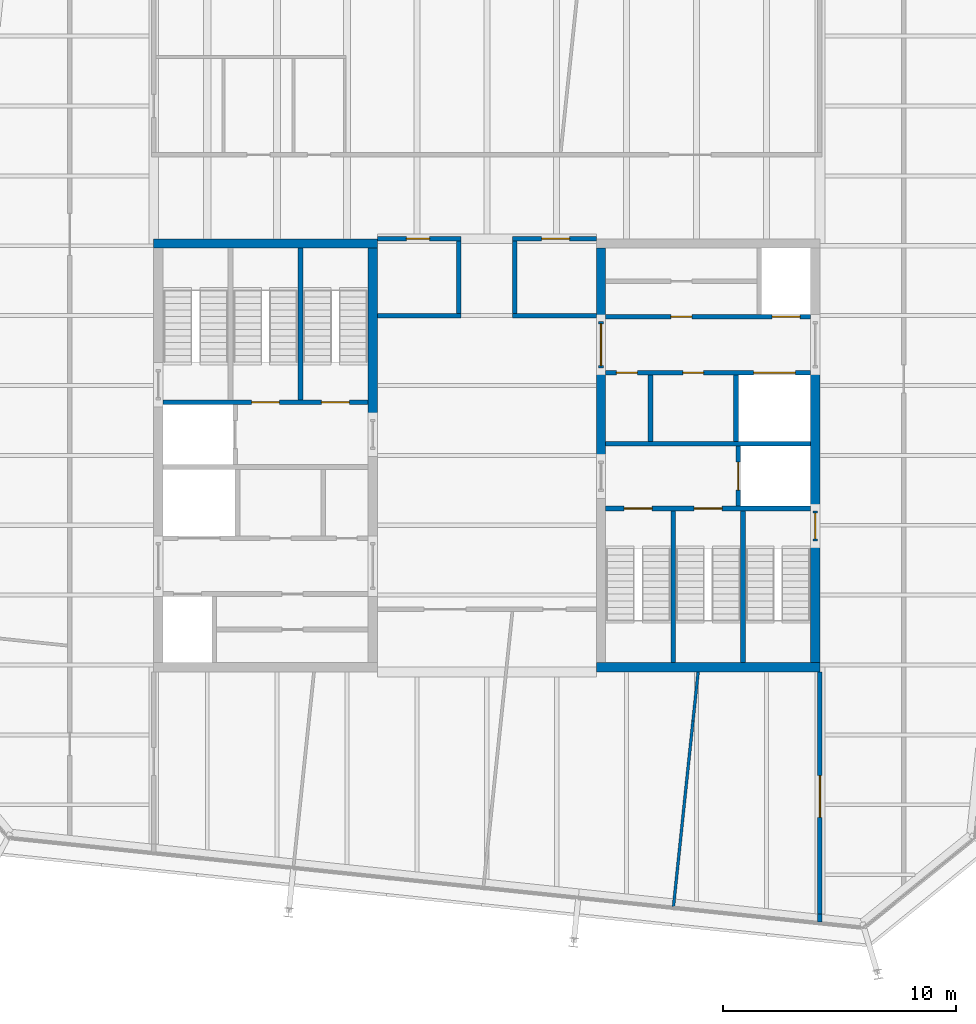
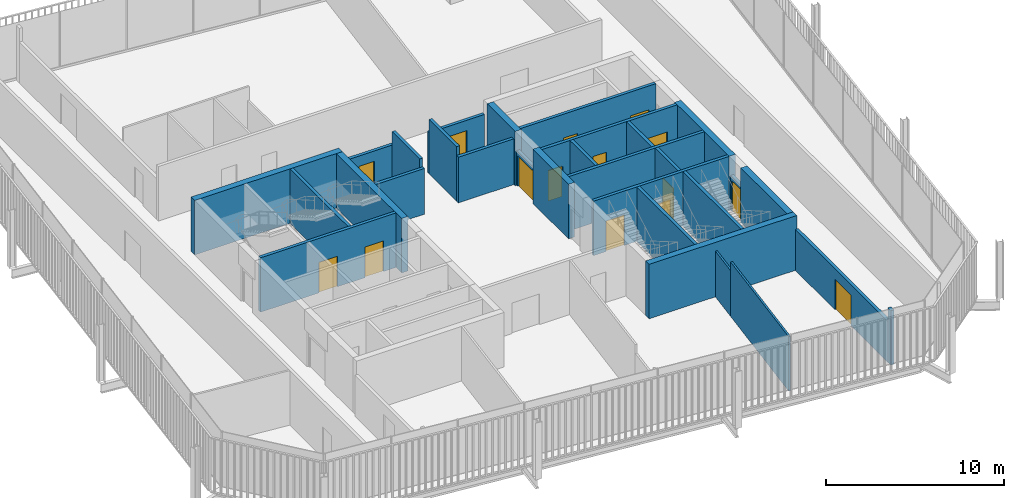
# One storey, part 17 of 20: 30 walls, 15 doors, 15 openings.
"""IFC4 building model written with IfcOpenShell, lengths in metres."""

from ifc_helpers import new_model, si_unit, direction, frame, frame_2d, origin, place, context, subcontext, project, spatial, rectangle, extrude, material, layer, layer_set, type_object, element, fill, save


model = new_model("IFC4")

# Units and contexts
model_context = context("Model", 3, precision=1e-05, world=origin(), true_north=direction((0.0, 1.0)))
body_context = subcontext(model_context, "Body", "Model", "MODEL_VIEW")
ifc_project = project(units=[si_unit("LENGTHUNIT", "METRE"), si_unit("AREAUNIT", "SQUARE_METRE"), si_unit("VOLUMEUNIT", "CUBIC_METRE"), si_unit("PLANEANGLEUNIT", "RADIAN"), si_unit("MASSUNIT", "GRAM", prefix="KILO")], contexts=[model_context])

# Site, building, storey
site_placement = place(None, origin())
site = spatial("IfcSite", under=ifc_project, at=site_placement, CompositionType="ELEMENT")
building_placement = place(site_placement, origin())
building = spatial("IfcBuilding", under=site, at=building_placement, Name="Millrace Tower", CompositionType="ELEMENT")
storey_placement = place(building_placement, frame((0.0, 0.0, 295.5)))
storey = spatial("IfcBuildingStorey", under=building, at=storey_placement, Name="L68", CompositionType="ELEMENT", Elevation=295.5)

# Walls
ifc_material_1 = material(Name="Concrete C60", Category="concrete")
ifc_layer_1 = layer(ifc_material_1, 0.39990234375)
ifc_layer_set_1 = layer_set([ifc_layer_1], Name="Concrete C60")
wall_type_1 = type_object("IfcWallType", Name="Core wall 400 Concrete C60", PredefinedType="SHEAR", material=ifc_layer_set_1)
wall_1_placement = place(storey_placement, frame((-14.300048828125, 9.10009765625, 0.0), z_axis=(0.0, 0.0, 1.0), x_axis=(1.0, 0.0, 0.0)))
element("IfcWall", 1, at=wall_1_placement, inside=storey, type_object=wall_type_1, Name="Core wall W L68", PredefinedType="SHEAR", context=body_context, shape_type="SweptSolid", body=[
    extrude(rectangle(XDim=9.60009765625, YDim=0.39990234375, at=frame_2d((4.800048828125, 0.0))), origin(), (0.0, 0.0, 1.0), 3.739990234375),
])
wall_2_placement = place(storey_placement, frame((-4.89990234375, 1.550048828125, 0.0), z_axis=(0.0, 0.0, 1.0), x_axis=(0.0, 1.0, 0.0)))
element("IfcWall", 2, at=wall_2_placement, inside=storey, type_object=wall_type_1, Name="Core wall W L68", PredefinedType="SHEAR", context=body_context, shape_type="SweptSolid", body=[
    extrude(rectangle(XDim=7.349853515625, YDim=0.39990234375, at=frame_2d((3.6748046875, 0.0))), origin(), (0.0, 0.0, 1.0), 3.739990234375),
])
wall_3_placement = place(storey_placement, frame((14.300048828125, -9.10009765625, 0.0), z_axis=(0.0, 0.0, 1.0), x_axis=(-1.0, 0.0, 0.0)))
element("IfcWall", 3, at=wall_3_placement, inside=storey, type_object=wall_type_1, Name="Core wall E L68", PredefinedType="SHEAR", context=body_context, shape_type="SweptSolid", body=[
    extrude(rectangle(XDim=9.60009765625, YDim=0.39990234375, at=frame_2d((4.800048828125, 0.0))), origin(), (0.0, 0.0, 1.0), 3.739990234375),
])
wall_4_placement = place(storey_placement, frame((14.10009765625, 3.75, 0.0), z_axis=(0.0, 0.0, 1.0), x_axis=(0.0, -1.0, 0.0)))
element("IfcWall", 4, at=wall_4_placement, inside=storey, type_object=wall_type_1, Name="Core wall E L68", PredefinedType="SHEAR", context=body_context, shape_type="SweptSolid", body=[
    extrude(rectangle(XDim=6.1298828125, YDim=0.39990234375, at=frame_2d((3.06494140625, 0.0))), origin(), (0.0, 0.0, 1.0), 3.739990234375),
])
wall_5_placement = place(storey_placement, frame((14.10009765625, -3.679931640625, 0.0), z_axis=(0.0, 0.0, 1.0), x_axis=(0.0, -1.0, 0.0)))
element("IfcWall", 5, at=wall_5_placement, inside=storey, type_object=wall_type_1, Name="Core wall E L68", PredefinedType="SHEAR", context=body_context, shape_type="SweptSolid", body=[
    extrude(rectangle(XDim=5.219970703125, YDim=0.39990234375, at=frame_2d((2.60986328125, 0.0))), origin(), (0.0, 0.0, 1.0), 3.739990234375),
])
wall_6_placement = place(storey_placement, frame((4.89990234375, 8.89990234375, 0.0), z_axis=(0.0, 0.0, 1.0), x_axis=(0.0, -1.0, 0.0)))
element("IfcWall", 6, at=wall_6_placement, inside=storey, type_object=wall_type_1, Name="Core wall E L68", PredefinedType="SHEAR", context=body_context, shape_type="SweptSolid", body=[
    extrude(rectangle(XDim=3.14990234375, YDim=0.39990234375, at=frame_2d((1.574951171875, 0.0))), origin(), (0.0, 0.0, 1.0), 3.739990234375),
])
wall_7_placement = place(storey_placement, frame((4.89990234375, 3.75, 0.0), z_axis=(0.0, 0.0, 1.0), x_axis=(0.0, -1.0, 0.0)))
element("IfcWall", 7, at=wall_7_placement, inside=storey, type_object=wall_type_1, Name="Core wall E L68", PredefinedType="SHEAR", context=body_context, shape_type="SweptSolid", body=[
    extrude(rectangle(XDim=4.0, YDim=0.39990234375, at=frame_2d((2.0, 0.0))), origin(), (0.0, 0.0, 1.0), 3.739990234375),
])
ifc_material_2 = material(Name="Masonry partition, fire-rated", Category="masonry")
ifc_layer_2 = layer(ifc_material_2, 0.199951171875)
ifc_layer_set_2 = layer_set([ifc_layer_2], Name="Masonry partition, fire-rated")
wall_type_2 = type_object("IfcWallType", Name="Corridor wall 200", PredefinedType="PARTITIONING", material=ifc_layer_set_2)
for number, where, z_axis, x_axis, name in (
    (8, (-4.699951171875, 6.0, 0.0), (0.0, 0.0, 1.0), (1.0, 0.0, 0.0), "Corridor wall L68"),
    (9, (1.10009765625, 6.0, 0.0), (0.0, 0.0, 1.0), (1.0, 0.0, 0.0), "Corridor wall L68"),
):
    element("IfcWall", number, at=place(storey_placement, frame(where, z_axis=z_axis, x_axis=x_axis)), inside=storey, type_object=wall_type_2, Name=name, PredefinedType="PARTITIONING", context=body_context, shape_type="SweptSolid", body=[
        extrude(rectangle(XDim=3.599853515625, YDim=0.199951171875, at=frame_2d((1.7998046875, 0.0))), origin(), (0.0, 0.0, 1.0), 3.140625),
    ])

# Wall, opening, door
wall_8_placement = place(storey_placement, frame((-4.699951171875, 9.300048828125, 0.0), z_axis=(0.0, 0.0, 1.0), x_axis=(1.0, 0.0, 0.0)))
wall_8 = element("IfcWall", 10, at=wall_8_placement, inside=storey, type_object=wall_type_2, Name="Corridor wall L68", PredefinedType="PARTITIONING", context=body_context, shape_type="SweptSolid", body=[
    extrude(rectangle(XDim=3.599853515625, YDim=0.199951171875, at=frame_2d((1.7998046875, 0.0))), origin(), (0.0, 0.0, 1.0), 2.81298828125),
])
opening_1_placement = place(wall_8_placement, frame((1.25, 0.0, 0.0)))
opening_1 = element("IfcOpeningElement", 11, at=opening_1_placement, cuts=wall_8, Name="Opening 68-P001", PredefinedType="OPENING", context=body_context, shape_type="SweptSolid", body=[
    extrude(rectangle(XDim=1.0, YDim=2.10009765625, at=frame_2d((0.5, 1.050048828125))), frame((0.0, 0.10986328125, 0.0), z_axis=(0.0, -1.0, 0.0), x_axis=(1.0, 0.0, 0.0)), (0.0, 0.0, 1.0), 0.219970703125),
])
ifc_material_3 = material(Name="Steel door set, fire-rated", Category="steel")
door_type_1 = type_object("IfcDoorType", Name="Corridor door 1000 x 2100", OperationType="SINGLE_SWING_LEFT", PredefinedType="DOOR", material=ifc_material_3)
door_1_placement = place(opening_1_placement, frame((1.0, 0.0, 0.0), z_axis=(0.0, 0.0, 1.0), x_axis=(-1.0, 0.0, 0.0)))
door_1 = element("IfcDoor", 12, at=door_1_placement, inside=storey, type_object=door_type_1, Name="Door 68-P001", OperationType="SINGLE_SWING_RIGHT", OverallHeight=2.10009765625, OverallWidth=1.0, PredefinedType="DOOR", context=body_context, shape_type="SweptSolid", body=[
    extrude(rectangle(XDim=1.0, YDim=2.10009765625, at=frame_2d((0.5, 1.050048828125))), frame((0.0, 0.02490234375, 0.0), z_axis=(0.0, -1.0, 0.0), x_axis=(1.0, 0.0, 0.0)), (0.0, 0.0, 1.0), 0.050048828125),
])
fill(opening_1, door_1)

wall_9_placement = place(storey_placement, frame((1.10009765625, 9.300048828125, 0.0), z_axis=(0.0, 0.0, 1.0), x_axis=(1.0, 0.0, 0.0)))
wall_9 = element("IfcWall", 13, at=wall_9_placement, inside=storey, type_object=wall_type_2, Name="Corridor wall L68", PredefinedType="PARTITIONING", context=body_context, shape_type="SweptSolid", body=[
    extrude(rectangle(XDim=3.599853515625, YDim=0.199951171875, at=frame_2d((1.7998046875, 0.0))), origin(), (0.0, 0.0, 1.0), 2.81298828125),
])
opening_2_placement = place(wall_9_placement, frame((1.25, 0.0, 0.0)))
opening_2 = element("IfcOpeningElement", 14, at=opening_2_placement, cuts=wall_9, Name="Opening 68-P002", PredefinedType="OPENING", context=body_context, shape_type="SweptSolid", body=[
    extrude(rectangle(XDim=1.199951171875, YDim=2.10009765625, at=frame_2d((0.60009765625, 1.050048828125))), frame((0.0, 0.10986328125, 0.0), z_axis=(0.0, -1.0, 0.0), x_axis=(1.0, 0.0, 0.0)), (0.0, 0.0, 1.0), 0.219970703125),
])
ifc_material_4 = material(Name="Steel door set, fire-rated", Category="steel")
door_type_2 = type_object("IfcDoorType", Name="Corridor door 1200 x 2100", OperationType="SINGLE_SWING_LEFT", PredefinedType="DOOR", material=ifc_material_4)
door_2_placement = place(opening_2_placement, frame((1.199951171875, 0.0, 0.0), z_axis=(0.0, 0.0, 1.0), x_axis=(-1.0, 0.0, 0.0)))
door_2 = element("IfcDoor", 15, at=door_2_placement, inside=storey, type_object=door_type_2, Name="Door 68-P002", OperationType="SINGLE_SWING_RIGHT", OverallHeight=2.10009765625, OverallWidth=1.199951171875, PredefinedType="DOOR", context=body_context, shape_type="SweptSolid", body=[
    extrude(rectangle(XDim=1.199951171875, YDim=2.10009765625, at=frame_2d((0.60009765625, 1.050048828125))), frame((0.0, 0.02490234375, 0.0), z_axis=(0.0, -1.0, 0.0), x_axis=(1.0, 0.0, 0.0)), (0.0, 0.0, 1.0), 0.050048828125),
])
fill(opening_2, door_2)

# Wall
wall_10_placement = place(storey_placement, frame((14.300048828125, -20.037353515625, 0.0), z_axis=(0.0, 0.0, 1.0), x_axis=(0.0, 1.0, 0.0)))
element("IfcWall", 16, at=wall_10_placement, inside=storey, type_object=wall_type_2, Name="Corridor wall L68", PredefinedType="PARTITIONING", context=body_context, shape_type="SweptSolid", body=[
    extrude(rectangle(XDim=0.339111328125, YDim=0.199951171875, at=frame_2d((0.16943359375, 0.0))), origin(), (0.0, 0.0, 1.0), 3.739990234375),
])

# Wall, opening, door
wall_11_placement = place(storey_placement, frame((14.300048828125, -19.6982421875, 0.0), z_axis=(0.0, 0.0, 1.0), x_axis=(0.0, 1.0, 0.0)))
wall_11 = element("IfcWall", 17, at=wall_11_placement, inside=storey, type_object=wall_type_2, Name="Corridor wall L68", PredefinedType="PARTITIONING", context=body_context, shape_type="SweptSolid", body=[
    extrude(rectangle(XDim=10.398193359375, YDim=0.199951171875, at=frame_2d((5.19921875, 0.0))), origin(), (0.0, 0.0, 1.0), 2.81298828125),
])
opening_3_placement = place(wall_11_placement, frame((4.15478515625, 0.0, 0.0)))
opening_3 = element("IfcOpeningElement", 18, at=opening_3_placement, cuts=wall_11, Name="Opening 68-P012", PredefinedType="OPENING", context=body_context, shape_type="SweptSolid", body=[
    extrude(rectangle(XDim=1.800048828125, YDim=2.10009765625, at=frame_2d((0.89990234375, 1.050048828125))), frame((0.0, 0.10986328125, 0.0), z_axis=(0.0, -1.0, 0.0), x_axis=(1.0, 0.0, 0.0)), (0.0, 0.0, 1.0), 0.219970703125),
])
ifc_material_5 = material(Name="Steel door set, fire-rated", Category="steel")
door_type_3 = type_object("IfcDoorType", Name="Corridor door 1800 x 2100", OperationType="DOUBLE_DOOR_SINGLE_SWING", PredefinedType="DOOR", material=ifc_material_5)
door_3_placement = place(opening_3_placement, origin())
door_3 = element("IfcDoor", 19, at=door_3_placement, inside=storey, type_object=door_type_3, Name="Door 68-P012", OperationType="DOUBLE_DOOR_SINGLE_SWING", OverallHeight=2.10009765625, OverallWidth=1.800048828125, PredefinedType="DOOR", context=body_context, shape_type="SweptSolid", body=[
    extrude(rectangle(XDim=1.800048828125, YDim=2.10009765625, at=frame_2d((0.89990234375, 1.050048828125))), frame((0.0, 0.02490234375, 0.0), z_axis=(0.0, -1.0, 0.0), x_axis=(1.0, 0.0, 0.0)), (0.0, 0.0, 1.0), 0.050048828125),
])
fill(opening_3, door_3)

# Walls
for number, where, z_axis, x_axis, name in (
    (20, (1.199951171875, 6.10009765625, 0.0), (0.0, 0.0, 1.0), (0.0, 1.0, 0.0), "Corridor wall L68"),
    (21, (-1.199951171875, 6.10009765625, 0.0), (0.0, 0.0, 1.0), (0.0, 1.0, 0.0), "Corridor wall L68"),
):
    element("IfcWall", number, at=place(storey_placement, frame(where, z_axis=z_axis, x_axis=x_axis)), inside=storey, type_object=wall_type_2, Name=name, PredefinedType="PARTITIONING", context=body_context, shape_type="SweptSolid", body=[
        extrude(rectangle(XDim=3.099853515625, YDim=0.199951171875, at=frame_2d((1.5498046875, 0.0))), origin(), (0.0, 0.0, 1.0), 3.739990234375),
    ])

# Wall, openings, doors
ifc_material_6 = material(Name="Masonry partition, fire-rated", Category="masonry")
ifc_layer_3 = layer(ifc_material_6, 0.199951171875)
ifc_layer_set_3 = layer_set([ifc_layer_3], Name="Masonry partition, fire-rated")
wall_type_3 = type_object("IfcWallType", Name="Lift shaft wall 200", PredefinedType="PARTITIONING", material=ifc_layer_set_3)
wall_12_placement = place(storey_placement, frame((13.89990234375, 5.949951171875, 0.0), z_axis=(0.0, 0.0, 1.0), x_axis=(-1.0, 0.0, 0.0)))
wall_12 = element("IfcWall", 22, at=wall_12_placement, inside=storey, type_object=wall_type_3, Name="Lift shaft wall E L68", PredefinedType="PARTITIONING", context=body_context, shape_type="SweptSolid", body=[
    extrude(rectangle(XDim=8.7998046875, YDim=0.199951171875, at=frame_2d((4.39990234375, 0.0))), origin(), (0.0, 0.0, 1.0), 3.739990234375),
])
opening_4_placement = place(wall_12_placement, frame((0.449951171875, 0.0, 0.0)))
opening_4 = element("IfcOpeningElement", 23, at=opening_4_placement, cuts=wall_12, Name="Opening 68-LD09", PredefinedType="OPENING", context=body_context, shape_type="SweptSolid", body=[
    extrude(rectangle(XDim=1.199951171875, YDim=2.10009765625, at=frame_2d((0.60009765625, 1.050048828125))), frame((0.0, 0.10986328125, 0.0), z_axis=(0.0, -1.0, 0.0), x_axis=(1.0, 0.0, 0.0)), (0.0, 0.0, 1.0), 0.219970703125),
])
opening_5_placement = place(wall_12_placement, frame((5.10009765625, 0.0, 0.0)))
opening_5 = element("IfcOpeningElement", 24, at=opening_5_placement, cuts=wall_12, Name="Opening 68-C015", PredefinedType="OPENING", context=body_context, shape_type="SweptSolid", body=[
    extrude(rectangle(XDim=0.89990234375, YDim=2.10009765625, at=frame_2d((0.449951171875, 1.050048828125))), frame((0.0, 0.10986328125, 0.0), z_axis=(0.0, -1.0, 0.0), x_axis=(1.0, 0.0, 0.0)), (0.0, 0.0, 1.0), 0.219970703125),
])
ifc_material_7 = material(Name="Stainless steel, fire-rated", Category="steel")
door_type_4 = type_object("IfcDoorType", Name="Lift landing door 1200 x 2100", OperationType="DOUBLE_DOOR_SLIDING", PredefinedType="DOOR", material=ifc_material_7)
door_4_placement = place(opening_4_placement, origin())
door_4 = element("IfcDoor", 25, at=door_4_placement, inside=storey, type_object=door_type_4, Name="Lift landing door LF9 L68", OperationType="DOUBLE_DOOR_SLIDING", OverallHeight=2.10009765625, OverallWidth=1.199951171875, PredefinedType="DOOR", context=body_context, shape_type="SweptSolid", body=[
    extrude(rectangle(XDim=1.199951171875, YDim=2.10009765625, at=frame_2d((0.60009765625, 1.050048828125))), frame((0.0, 0.02490234375, 0.0), z_axis=(0.0, -1.0, 0.0), x_axis=(1.0, 0.0, 0.0)), (0.0, 0.0, 1.0), 0.050048828125),
])
fill(opening_4, door_4)
ifc_material_8 = material(Name="Steel door, fire-rated", Category="steel")
door_type_5 = type_object("IfcDoorType", Name="Service room door 900 x 2100", OperationType="SINGLE_SWING_LEFT", PredefinedType="DOOR", material=ifc_material_8)
door_5_placement = place(opening_5_placement, origin())
door_5 = element("IfcDoor", 26, at=door_5_placement, inside=storey, type_object=door_type_5, Name="Service room door 68-C015", OperationType="SINGLE_SWING_RIGHT", OverallHeight=2.10009765625, OverallWidth=0.89990234375, PredefinedType="DOOR", context=body_context, shape_type="SweptSolid", body=[
    extrude(rectangle(XDim=0.89990234375, YDim=2.10009765625, at=frame_2d((0.449951171875, 1.050048828125))), frame((0.0, 0.02490234375, 0.0), z_axis=(0.0, -1.0, 0.0), x_axis=(1.0, 0.0, 0.0)), (0.0, 0.0, 1.0), 0.050048828125),
])
fill(opening_5, door_5)

wall_13_placement = place(storey_placement, frame((13.89990234375, 3.550048828125, 0.0), z_axis=(0.0, 0.0, 1.0), x_axis=(-1.0, 0.0, 0.0)))
wall_13 = element("IfcWall", 27, at=wall_13_placement, inside=storey, type_object=wall_type_3, Name="Lift shaft wall E L68", PredefinedType="PARTITIONING", context=body_context, shape_type="SweptSolid", body=[
    extrude(rectangle(XDim=8.7998046875, YDim=0.199951171875, at=frame_2d((4.39990234375, 0.0))), origin(), (0.0, 0.0, 1.0), 3.739990234375),
])
opening_6_placement = place(wall_13_placement, frame((0.64990234375, 0.0, 0.0)))
opening_6 = element("IfcOpeningElement", 28, at=opening_6_placement, cuts=wall_13, Name="Opening 68-LD13", PredefinedType="OPENING", context=body_context, shape_type="SweptSolid", body=[
    extrude(rectangle(XDim=1.800048828125, YDim=2.10009765625, at=frame_2d((0.89990234375, 1.050048828125))), frame((0.0, 0.10986328125, 0.0), z_axis=(0.0, -1.0, 0.0), x_axis=(1.0, 0.0, 0.0)), (0.0, 0.0, 1.0), 0.219970703125),
])
opening_7_placement = place(wall_13_placement, frame((4.58740234375, 0.0, 0.0)))
opening_7 = element("IfcOpeningElement", 29, at=opening_7_placement, cuts=wall_13, Name="Opening 68-C017", PredefinedType="OPENING", context=body_context, shape_type="SweptSolid", body=[
    extrude(rectangle(XDim=0.89990234375, YDim=2.10009765625, at=frame_2d((0.449951171875, 1.050048828125))), frame((0.0, 0.10986328125, 0.0), z_axis=(0.0, -1.0, 0.0), x_axis=(1.0, 0.0, 0.0)), (0.0, 0.0, 1.0), 0.219970703125),
])
opening_8_placement = place(wall_13_placement, frame((7.4375, 0.0, 0.0)))
opening_8 = element("IfcOpeningElement", 30, at=opening_8_placement, cuts=wall_13, Name="Opening 68-C018", PredefinedType="OPENING", context=body_context, shape_type="SweptSolid", body=[
    extrude(rectangle(XDim=0.89990234375, YDim=2.10009765625, at=frame_2d((0.449951171875, 1.050048828125))), frame((0.0, 0.10986328125, 0.0), z_axis=(0.0, -1.0, 0.0), x_axis=(1.0, 0.0, 0.0)), (0.0, 0.0, 1.0), 0.219970703125),
])
ifc_material_9 = material(Name="Stainless steel, fire-rated", Category="steel")
door_type_6 = type_object("IfcDoorType", Name="Lift landing door 1800 x 2100", OperationType="DOUBLE_DOOR_SLIDING", PredefinedType="DOOR", material=ifc_material_9)
door_6_placement = place(opening_6_placement, origin())
door_6 = element("IfcDoor", 31, at=door_6_placement, inside=storey, type_object=door_type_6, Name="Lift landing door LF13 L68", OperationType="DOUBLE_DOOR_SLIDING", OverallHeight=2.10009765625, OverallWidth=1.800048828125, PredefinedType="DOOR", context=body_context, shape_type="SweptSolid", body=[
    extrude(rectangle(XDim=1.800048828125, YDim=2.10009765625, at=frame_2d((0.89990234375, 1.050048828125))), frame((0.0, 0.02490234375, 0.0), z_axis=(0.0, -1.0, 0.0), x_axis=(1.0, 0.0, 0.0)), (0.0, 0.0, 1.0), 0.050048828125),
])
fill(opening_6, door_6)
door_7_placement = place(opening_7_placement, origin())
door_7 = element("IfcDoor", 32, at=door_7_placement, inside=storey, type_object=door_type_5, Name="Service room door 68-C017", OperationType="SINGLE_SWING_RIGHT", OverallHeight=2.10009765625, OverallWidth=0.89990234375, PredefinedType="DOOR", context=body_context, shape_type="SweptSolid", body=[
    extrude(rectangle(XDim=0.89990234375, YDim=2.10009765625, at=frame_2d((0.449951171875, 1.050048828125))), frame((0.0, 0.02490234375, 0.0), z_axis=(0.0, -1.0, 0.0), x_axis=(1.0, 0.0, 0.0)), (0.0, 0.0, 1.0), 0.050048828125),
])
fill(opening_7, door_7)
door_8_placement = place(opening_8_placement, origin())
door_8 = element("IfcDoor", 33, at=door_8_placement, inside=storey, type_object=door_type_5, Name="Service room door 68-C018", OperationType="SINGLE_SWING_RIGHT", OverallHeight=2.10009765625, OverallWidth=0.89990234375, PredefinedType="DOOR", context=body_context, shape_type="SweptSolid", body=[
    extrude(rectangle(XDim=0.89990234375, YDim=2.10009765625, at=frame_2d((0.449951171875, 1.050048828125))), frame((0.0, 0.02490234375, 0.0), z_axis=(0.0, -1.0, 0.0), x_axis=(1.0, 0.0, 0.0)), (0.0, 0.0, 1.0), 0.050048828125),
])
fill(opening_8, door_8)

# Wall
wall_14_placement = place(storey_placement, frame((13.89990234375, 0.5, 0.0), z_axis=(0.0, 0.0, 1.0), x_axis=(-1.0, 0.0, 0.0)))
element("IfcWall", 34, at=wall_14_placement, inside=storey, type_object=wall_type_3, Name="Lift shaft wall E L68", PredefinedType="PARTITIONING", context=body_context, shape_type="SweptSolid", body=[
    extrude(rectangle(XDim=8.7998046875, YDim=0.199951171875, at=frame_2d((4.39990234375, 0.0))), origin(), (0.0, 0.0, 1.0), 3.739990234375),
])

# Wall, opening, door
wall_15_placement = place(storey_placement, frame((10.800048828125, 0.39990234375, 0.0), z_axis=(0.0, 0.0, 1.0), x_axis=(0.0, -1.0, 0.0)))
wall_15 = element("IfcWall", 35, at=wall_15_placement, inside=storey, type_object=wall_type_3, Name="Lift shaft wall E L68", PredefinedType="PARTITIONING", context=body_context, shape_type="SweptSolid", body=[
    extrude(rectangle(XDim=2.579833984375, YDim=0.199951171875, at=frame_2d((1.2900390625, 0.0))), origin(), (0.0, 0.0, 1.0), 3.739990234375),
])
opening_9_placement = place(wall_15_placement, frame((0.68994140625, 0.0, 0.0)))
opening_9 = element("IfcOpeningElement", 36, at=opening_9_placement, cuts=wall_15, Name="Opening 68-LD16", PredefinedType="OPENING", context=body_context, shape_type="SweptSolid", body=[
    extrude(rectangle(XDim=1.199951171875, YDim=2.10009765625, at=frame_2d((0.60009765625, 1.050048828125))), frame((0.0, 0.10986328125, 0.0), z_axis=(0.0, -1.0, 0.0), x_axis=(1.0, 0.0, 0.0)), (0.0, 0.0, 1.0), 0.219970703125),
])
door_9_placement = place(opening_9_placement, origin())
door_9 = element("IfcDoor", 37, at=door_9_placement, inside=storey, type_object=door_type_4, Name="Lift landing door LF16 L68", OperationType="DOUBLE_DOOR_SLIDING", OverallHeight=2.10009765625, OverallWidth=1.199951171875, PredefinedType="DOOR", context=body_context, shape_type="SweptSolid", body=[
    extrude(rectangle(XDim=1.199951171875, YDim=2.10009765625, at=frame_2d((0.60009765625, 1.050048828125))), frame((0.0, 0.02490234375, 0.0), z_axis=(0.0, -1.0, 0.0), x_axis=(1.0, 0.0, 0.0)), (0.0, 0.0, 1.0), 0.050048828125),
])
fill(opening_9, door_9)

# Wall
wall_16_placement = place(storey_placement, frame((10.699951171875, 3.449951171875, 0.0), z_axis=(0.0, 0.0, 1.0), x_axis=(0.0, -1.0, 0.0)))
element("IfcWall", 38, at=wall_16_placement, inside=storey, type_object=wall_type_3, Name="Lift shaft wall E L68", PredefinedType="PARTITIONING", context=body_context, shape_type="SweptSolid", body=[
    extrude(rectangle(XDim=2.849853515625, YDim=0.199951171875, at=frame_2d((1.4248046875, 0.0))), origin(), (0.0, 0.0, 1.0), 3.739990234375),
])

# Wall, opening, door
ifc_material_10 = material(Name="Masonry partition, fire-rated", Category="masonry")
ifc_layer_4 = layer(ifc_material_10, 0.199951171875)
ifc_layer_set_4 = layer_set([ifc_layer_4], Name="Masonry partition, fire-rated")
wall_type_4 = type_object("IfcWallType", Name="Lobby wall 200", PredefinedType="PARTITIONING", material=ifc_layer_set_4)
wall_17_placement = place(storey_placement, frame((4.89990234375, 5.75, 0.0), z_axis=(0.0, 0.0, 1.0), x_axis=(0.0, -1.0, 0.0)))
wall_17 = element("IfcWall", 39, at=wall_17_placement, inside=storey, type_object=wall_type_4, Name="Lobby wall E L68", PredefinedType="PARTITIONING", context=body_context, shape_type="SweptSolid", body=[
    extrude(rectangle(XDim=2.0, YDim=0.199951171875, at=frame_2d((1.0, 0.0))), origin(), (0.0, 0.0, 1.0), 2.39990234375),
])
opening_10_placement = place(wall_17_placement, frame((0.10009765625, 0.0, 0.0)))
opening_10 = element("IfcOpeningElement", 40, at=opening_10_placement, cuts=wall_17, Name="Opening 68-C013", PredefinedType="OPENING", context=body_context, shape_type="SweptSolid", body=[
    extrude(rectangle(XDim=1.800048828125, YDim=2.10009765625, at=frame_2d((0.89990234375, 1.050048828125))), frame((0.0, 0.10986328125, 0.0), z_axis=(0.0, -1.0, 0.0), x_axis=(1.0, 0.0, 0.0)), (0.0, 0.0, 1.0), 0.219970703125),
])
ifc_material_11 = material(Name="Steel door, fire-rated", Category="steel")
door_type_7 = type_object("IfcDoorType", Name="Lobby door 1800 x 2100", OperationType="DOUBLE_DOOR_SINGLE_SWING", PredefinedType="DOOR", material=ifc_material_11)
door_10_placement = place(opening_10_placement, frame((1.800048828125, 0.0, 0.0), z_axis=(0.0, 0.0, 1.0), x_axis=(-1.0, 0.0, 0.0)))
door_10 = element("IfcDoor", 41, at=door_10_placement, inside=storey, type_object=door_type_7, Name="Lobby door 68-C013", OperationType="DOUBLE_DOOR_SINGLE_SWING", OverallHeight=2.10009765625, OverallWidth=1.800048828125, PredefinedType="DOOR", context=body_context, shape_type="SweptSolid", body=[
    extrude(rectangle(XDim=1.800048828125, YDim=2.10009765625, at=frame_2d((0.89990234375, 1.050048828125))), frame((0.0, 0.02490234375, 0.0), z_axis=(0.0, -1.0, 0.0), x_axis=(1.0, 0.0, 0.0)), (0.0, 0.0, 1.0), 0.050048828125),
])
fill(opening_10, door_10)

# Walls
ifc_material_12 = material(Name="Gypsum board partition")
ifc_layer_5 = layer(ifc_material_12, 0.1201171875)
ifc_layer_set_5 = layer_set([ifc_layer_5], Name="Gypsum board partition")
wall_type_5 = type_object("IfcWallType", Name="Partition wall 120", PredefinedType="PARTITIONING", material=ifc_layer_set_5)
wall_18_placement = place(storey_placement, frame((8.0126953125, -19.376708984375, 0.0), z_axis=(0.0, 0.0, 1.0), x_axis=(0.104553276341, 0.994519287096, 0.0)))
element("IfcWall", 42, at=wall_18_placement, inside=storey, type_object=wall_type_5, Name="Partition wall L68", PredefinedType="PARTITIONING", context=body_context, shape_type="SweptSolid", body=[
    extrude(rectangle(XDim=8.02099609375, YDim=0.1201171875, at=frame_2d((4.010498046875, 0.0))), origin(), (0.0, 0.0, 1.0), 3.739990234375),
])
wall_19_placement = place(storey_placement, frame((8.851318359375, -11.399658203125, 0.0), z_axis=(0.0, 0.0, 1.0), x_axis=(0.1045403102, 0.994520650134, 0.0)))
element("IfcWall", 43, at=wall_19_placement, inside=storey, type_object=wall_type_5, Name="Partition wall L68", PredefinedType="PARTITIONING", context=body_context, shape_type="SweptSolid", body=[
    extrude(rectangle(XDim=2.111083984375, YDim=0.1201171875, at=frame_2d((1.0556640625, 0.0))), origin(), (0.0, 0.0, 1.0), 3.140625),
])
ifc_material_13 = material(Name="Masonry partition, fire-rated", Category="masonry")
ifc_layer_6 = layer(ifc_material_13, 0.199951171875)
ifc_layer_set_6 = layer_set([ifc_layer_6], Name="Masonry partition, fire-rated")
wall_type_6 = type_object("IfcWallType", Name="Room partition 200", PredefinedType="PARTITIONING", material=ifc_layer_set_6)
wall_20_placement = place(storey_placement, frame((7.02490234375, 3.449951171875, 0.0), z_axis=(0.0, 0.0, 1.0), x_axis=(0.0, -1.0, 0.0)))
element("IfcWall", 44, at=wall_20_placement, inside=storey, type_object=wall_type_6, Name="Room partition E L68", PredefinedType="PARTITIONING", context=body_context, shape_type="SweptSolid", body=[
    extrude(rectangle(XDim=2.849853515625, YDim=0.199951171875, at=frame_2d((1.4248046875, 0.0))), origin(), (0.0, 0.0, 1.0), 3.739990234375),
])

# Wall, openings, doors
ifc_material_14 = material(Name="Concrete C40", Category="concrete")
ifc_layer_7 = layer(ifc_material_14, 0.199951171875)
ifc_layer_set_7 = layer_set([ifc_layer_7], Name="Concrete C40")
wall_type_7 = type_object("IfcWallType", Name="Stair enclosure wall 200 Concrete C40", PredefinedType="SHEAR", material=ifc_layer_set_7)
wall_21_placement = place(storey_placement, frame((-13.89990234375, 2.280029296875, 0.0), z_axis=(0.0, 0.0, 1.0), x_axis=(1.0, 0.0, 0.0)))
wall_21 = element("IfcWall", 45, at=wall_21_placement, inside=storey, type_object=wall_type_7, Name="Stair enclosure wall W L68", PredefinedType="SHEAR", context=body_context, shape_type="SweptSolid", body=[
    extrude(rectangle(XDim=8.7998046875, YDim=0.199951171875, at=frame_2d((4.39990234375, 0.0))), origin(), (0.0, 0.0, 1.0), 3.739990234375),
])
opening_11_placement = place(wall_21_placement, frame((3.800048828125, 0.0, 0.0)))
opening_11 = element("IfcOpeningElement", 46, at=opening_11_placement, cuts=wall_21, Name="Opening 68-C009", PredefinedType="OPENING", context=body_context, shape_type="SweptSolid", body=[
    extrude(rectangle(XDim=1.199951171875, YDim=2.10009765625, at=frame_2d((0.60009765625, 1.050048828125))), frame((0.0, 0.10986328125, 0.0), z_axis=(0.0, -1.0, 0.0), x_axis=(1.0, 0.0, 0.0)), (0.0, 0.0, 1.0), 0.219970703125),
])
opening_12_placement = place(wall_21_placement, frame((6.800048828125, 0.0, 0.0)))
opening_12 = element("IfcOpeningElement", 47, at=opening_12_placement, cuts=wall_21, Name="Opening 68-C010", PredefinedType="OPENING", context=body_context, shape_type="SweptSolid", body=[
    extrude(rectangle(XDim=1.199951171875, YDim=2.10009765625, at=frame_2d((0.60009765625, 1.050048828125))), frame((0.0, 0.10986328125, 0.0), z_axis=(0.0, -1.0, 0.0), x_axis=(1.0, 0.0, 0.0)), (0.0, 0.0, 1.0), 0.219970703125),
])
ifc_material_15 = material(Name="Steel door, fire-rated", Category="steel")
door_type_8 = type_object("IfcDoorType", Name="Stair door 1200 x 2100", OperationType="SINGLE_SWING_LEFT", PredefinedType="DOOR", material=ifc_material_15)
door_11_placement = place(opening_11_placement, frame((1.199951171875, 0.0, 0.0), z_axis=(0.0, 0.0, 1.0), x_axis=(-1.0, 0.0, 0.0)))
door_11 = element("IfcDoor", 48, at=door_11_placement, inside=storey, type_object=door_type_8, Name="Stair door 68-C009", OperationType="SINGLE_SWING_RIGHT", OverallHeight=2.10009765625, OverallWidth=1.199951171875, PredefinedType="DOOR", context=body_context, shape_type="SweptSolid", body=[
    extrude(rectangle(XDim=1.199951171875, YDim=2.10009765625, at=frame_2d((0.60009765625, 1.050048828125))), frame((0.0, 0.02490234375, 0.0), z_axis=(0.0, -1.0, 0.0), x_axis=(1.0, 0.0, 0.0)), (0.0, 0.0, 1.0), 0.050048828125),
])
fill(opening_11, door_11)
door_12_placement = place(opening_12_placement, frame((1.199951171875, 0.0, 0.0), z_axis=(0.0, 0.0, 1.0), x_axis=(-1.0, 0.0, 0.0)))
door_12 = element("IfcDoor", 49, at=door_12_placement, inside=storey, type_object=door_type_8, Name="Stair door 68-C010", OperationType="SINGLE_SWING_LEFT", OverallHeight=2.10009765625, OverallWidth=1.199951171875, PredefinedType="DOOR", context=body_context, shape_type="SweptSolid", body=[
    extrude(rectangle(XDim=1.199951171875, YDim=2.10009765625, at=frame_2d((0.60009765625, 1.050048828125))), frame((0.0, 0.02490234375, 0.0), z_axis=(0.0, -1.0, 0.0), x_axis=(1.0, 0.0, 0.0)), (0.0, 0.0, 1.0), 0.050048828125),
])
fill(opening_12, door_12)

# Wall
wall_22_placement = place(storey_placement, frame((-8.0, 2.3798828125, 0.0), z_axis=(0.0, 0.0, 1.0), x_axis=(0.0, 1.0, 0.0)))
element("IfcWall", 50, at=wall_22_placement, inside=storey, type_object=wall_type_7, Name="Stair enclosure wall W L68", PredefinedType="SHEAR", context=body_context, shape_type="SweptSolid", body=[
    extrude(rectangle(XDim=6.52001953125, YDim=0.199951171875, at=frame_2d((3.260009765625, 0.0))), origin(), (0.0, 0.0, 1.0), 3.739990234375),
])

# Wall, opening, door
wall_23_placement = place(storey_placement, frame((14.10009765625, -2.3798828125, 0.0), z_axis=(0.0, 0.0, 1.0), x_axis=(0.0, -1.0, 0.0)))
wall_23 = element("IfcWall", 51, at=wall_23_placement, inside=storey, type_object=wall_type_7, Name="Stair enclosure wall E L68", PredefinedType="SHEAR", context=body_context, shape_type="SweptSolid", body=[
    extrude(rectangle(XDim=1.300048828125, YDim=0.199951171875, at=frame_2d((0.64990234375, 0.0))), origin(), (0.0, 0.0, 1.0), 2.39990234375),
])
opening_13_placement = place(wall_23_placement, frame((0.10009765625, 0.0, 0.0)))
opening_13 = element("IfcOpeningElement", 52, at=opening_13_placement, cuts=wall_23, Name="Opening 68-C012", PredefinedType="OPENING", context=body_context, shape_type="SweptSolid", body=[
    extrude(rectangle(XDim=1.10009765625, YDim=2.10009765625, at=frame_2d((0.550048828125, 1.050048828125))), frame((0.0, 0.10986328125, 0.0), z_axis=(0.0, -1.0, 0.0), x_axis=(1.0, 0.0, 0.0)), (0.0, 0.0, 1.0), 0.219970703125),
])
ifc_material_16 = material(Name="Steel door, fire-rated", Category="steel")
door_type_9 = type_object("IfcDoorType", Name="Stair door 1100 x 2100", OperationType="SINGLE_SWING_LEFT", PredefinedType="DOOR", material=ifc_material_16)
door_13_placement = place(opening_13_placement, origin())
door_13 = element("IfcDoor", 53, at=door_13_placement, inside=storey, type_object=door_type_9, Name="Stair door 68-C012", OperationType="SINGLE_SWING_LEFT", OverallHeight=2.10009765625, OverallWidth=1.10009765625, PredefinedType="DOOR", context=body_context, shape_type="SweptSolid", body=[
    extrude(rectangle(XDim=1.10009765625, YDim=2.10009765625, at=frame_2d((0.550048828125, 1.050048828125))), frame((0.0, 0.02490234375, 0.0), z_axis=(0.0, -1.0, 0.0), x_axis=(1.0, 0.0, 0.0)), (0.0, 0.0, 1.0), 0.050048828125),
])
fill(opening_13, door_13)

# Wall, openings, doors
wall_24_placement = place(storey_placement, frame((13.89990234375, -2.280029296875, 0.0), z_axis=(0.0, 0.0, 1.0), x_axis=(-1.0, 0.0, 0.0)))
wall_24 = element("IfcWall", 54, at=wall_24_placement, inside=storey, type_object=wall_type_7, Name="Stair enclosure wall E L68", PredefinedType="SHEAR", context=body_context, shape_type="SweptSolid", body=[
    extrude(rectangle(XDim=8.7998046875, YDim=0.199951171875, at=frame_2d((4.39990234375, 0.0))), origin(), (0.0, 0.0, 1.0), 3.739990234375),
])
opening_14_placement = place(wall_24_placement, frame((3.800048828125, 0.0, 0.0)))
opening_14 = element("IfcOpeningElement", 55, at=opening_14_placement, cuts=wall_24, Name="Opening 68-C019", PredefinedType="OPENING", context=body_context, shape_type="SweptSolid", body=[
    extrude(rectangle(XDim=1.199951171875, YDim=2.10009765625, at=frame_2d((0.60009765625, 1.050048828125))), frame((0.0, 0.10986328125, 0.0), z_axis=(0.0, -1.0, 0.0), x_axis=(1.0, 0.0, 0.0)), (0.0, 0.0, 1.0), 0.219970703125),
])
opening_15_placement = place(wall_24_placement, frame((6.800048828125, 0.0, 0.0)))
opening_15 = element("IfcOpeningElement", 56, at=opening_15_placement, cuts=wall_24, Name="Opening 68-C020", PredefinedType="OPENING", context=body_context, shape_type="SweptSolid", body=[
    extrude(rectangle(XDim=1.199951171875, YDim=2.10009765625, at=frame_2d((0.60009765625, 1.050048828125))), frame((0.0, 0.10986328125, 0.0), z_axis=(0.0, -1.0, 0.0), x_axis=(1.0, 0.0, 0.0)), (0.0, 0.0, 1.0), 0.219970703125),
])
door_14_placement = place(opening_14_placement, frame((1.199951171875, 0.0, 0.0), z_axis=(0.0, 0.0, 1.0), x_axis=(-1.0, 0.0, 0.0)))
door_14 = element("IfcDoor", 57, at=door_14_placement, inside=storey, type_object=door_type_8, Name="Stair door 68-C019", OperationType="SINGLE_SWING_RIGHT", OverallHeight=2.10009765625, OverallWidth=1.199951171875, PredefinedType="DOOR", context=body_context, shape_type="SweptSolid", body=[
    extrude(rectangle(XDim=1.199951171875, YDim=2.10009765625, at=frame_2d((0.60009765625, 1.050048828125))), frame((0.0, 0.02490234375, 0.0), z_axis=(0.0, -1.0, 0.0), x_axis=(1.0, 0.0, 0.0)), (0.0, 0.0, 1.0), 0.050048828125),
])
fill(opening_14, door_14)
door_15_placement = place(opening_15_placement, frame((1.199951171875, 0.0, 0.0), z_axis=(0.0, 0.0, 1.0), x_axis=(-1.0, 0.0, 0.0)))
door_15 = element("IfcDoor", 58, at=door_15_placement, inside=storey, type_object=door_type_8, Name="Stair door 68-C020", OperationType="SINGLE_SWING_LEFT", OverallHeight=2.10009765625, OverallWidth=1.199951171875, PredefinedType="DOOR", context=body_context, shape_type="SweptSolid", body=[
    extrude(rectangle(XDim=1.199951171875, YDim=2.10009765625, at=frame_2d((0.60009765625, 1.050048828125))), frame((0.0, 0.02490234375, 0.0), z_axis=(0.0, -1.0, 0.0), x_axis=(1.0, 0.0, 0.0)), (0.0, 0.0, 1.0), 0.050048828125),
])
fill(opening_15, door_15)

# Walls
for number, where, z_axis, x_axis, name in (
    (59, (11.0, -2.3798828125, 0.0), (0.0, 0.0, 1.0), (0.0, -1.0, 0.0), "Stair enclosure wall E L68"),
    (60, (8.0, -2.3798828125, 0.0), (0.0, 0.0, 1.0), (0.0, -1.0, 0.0), "Stair enclosure wall E L68"),
):
    element("IfcWall", number, at=place(storey_placement, frame(where, z_axis=z_axis, x_axis=x_axis)), inside=storey, type_object=wall_type_7, Name=name, PredefinedType="SHEAR", context=body_context, shape_type="SweptSolid", body=[
        extrude(rectangle(XDim=6.52001953125, YDim=0.199951171875, at=frame_2d((3.260009765625, 0.0))), origin(), (0.0, 0.0, 1.0), 3.739990234375),
    ])

save(model, "model.ifc")
